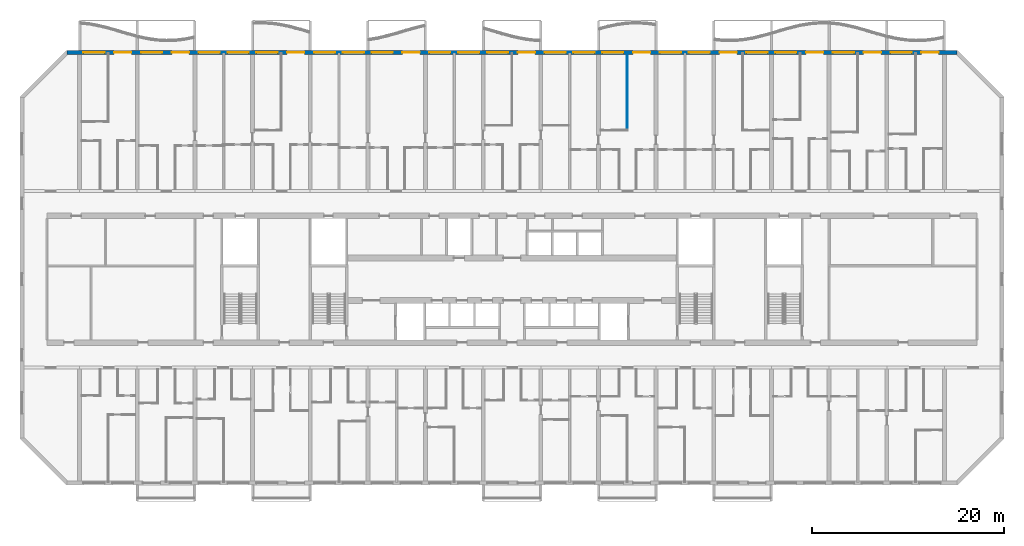
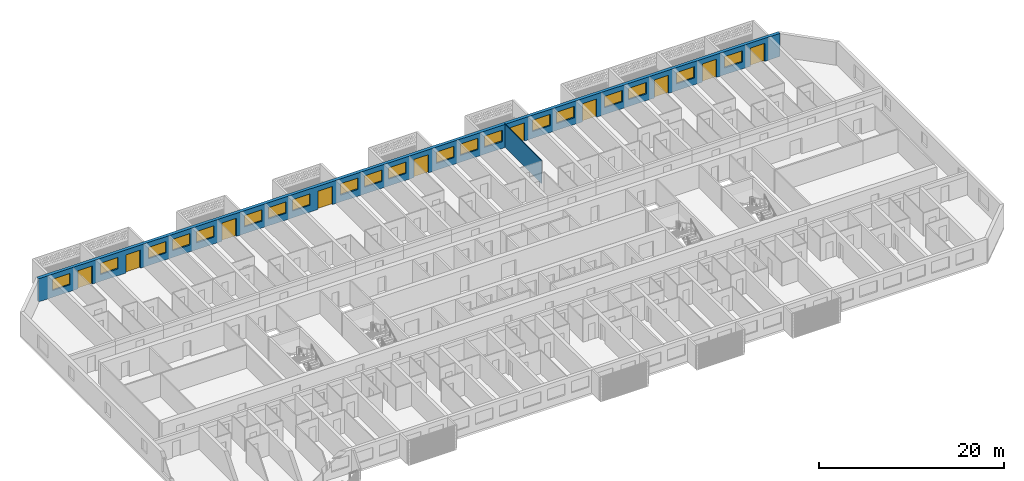
# One storey, part 13 of 40: 20 windows, 10 doors, 2 walls, 30 openings.
"""IFC4 building model written with IfcOpenShell, lengths in metres."""

from ifc_helpers import new_model, si_unit, direction, frame, frame_2d, origin, place, context, subcontext, project, spatial, rectangle, extrude, material, layer, layer_set, type_object, element, fill, save


model = new_model("IFC4")

# Units and contexts
model_context = context("Model", 3, precision=1e-05, world=origin(), true_north=direction((0.0, 1.0)))
body_context = subcontext(model_context, "Body", "Model", "MODEL_VIEW")
ifc_project = project(units=[si_unit("LENGTHUNIT", "METRE"), si_unit("AREAUNIT", "SQUARE_METRE"), si_unit("VOLUMEUNIT", "CUBIC_METRE"), si_unit("PLANEANGLEUNIT", "RADIAN"), si_unit("MASSUNIT", "GRAM", prefix="KILO")], contexts=[model_context])

# Site, building, storey
site_placement = place(None, origin())
site = spatial("IfcSite", under=ifc_project, at=site_placement, CompositionType="ELEMENT")
building_placement = place(site_placement, origin())
building = spatial("IfcBuilding", under=site, at=building_placement, Name="Poui Terraces", CompositionType="ELEMENT")
storey_placement = place(building_placement, frame((0.0, 0.0, 39.89990234375)))
storey = spatial("IfcBuildingStorey", under=building, at=storey_placement, Name="L10", CompositionType="ELEMENT", Elevation=39.89990234375)

# Wall, openings, doors, windows
ifc_material_1 = material(Name="Precast concrete 40 MPa", Category="concrete")
ifc_layer_1 = layer(ifc_material_1, 0.39990234375)
ifc_layer_set_1 = layer_set([ifc_layer_1], Name="Precast concrete 40 MPa")
wall_type_1 = type_object("IfcWallType", Name="EXTERNAL WALL 400", PredefinedType="STANDARD", material=ifc_layer_set_1)
wall_1_placement = place(storey_placement, frame((97.317138671875, 44.800048828125, 0.0), z_axis=(0.0, 0.0, 1.0), x_axis=(-1.0, 0.0, 0.0)))
wall_1 = element("IfcWall", 1, at=wall_1_placement, inside=storey, type_object=wall_type_1, Name="EXTERNAL WALL N", PredefinedType="STANDARD", context=body_context, shape_type="SweptSolid", body=[
    extrude(rectangle(XDim=92.63427734375, YDim=0.39990234375, at=frame_2d((46.317138671875, 0.0))), origin(), (0.0, 0.0, 1.0), 3.050048828125),
])
opening_1_placement = place(wall_1_placement, frame((88.71728515625, 0.0, 0.89990234375)))
opening_1 = element("IfcOpeningElement", 2, at=opening_1_placement, cuts=wall_1, Name="Opening W1", PredefinedType="OPENING", context=body_context, shape_type="SweptSolid", body=[
    extrude(rectangle(XDim=2.199951171875, YDim=1.5, at=frame_2d((1.10009765625, 0.75))), frame((0.0, 0.2099609375, 0.0), z_axis=(0.0, -1.0, 0.0), x_axis=(1.0, 0.0, 0.0)), (0.0, 0.0, 1.0), 0.419921875),
])
opening_2_placement = place(wall_1_placement, frame((85.917236328125, 0.0, 0.0)))
opening_2 = element("IfcOpeningElement", 3, at=opening_2_placement, cuts=wall_1, Name="Opening BD1", PredefinedType="OPENING", context=body_context, shape_type="SweptSolid", body=[
    extrude(rectangle(XDim=1.800048828125, YDim=2.39990234375, at=frame_2d((0.89990234375, 1.199951171875))), frame((0.0, 0.2099609375, 0.0), z_axis=(0.0, -1.0, 0.0), x_axis=(1.0, 0.0, 0.0)), (0.0, 0.0, 1.0), 0.419921875),
])
opening_3_placement = place(wall_1_placement, frame((82.71728515625, 0.0, 0.89990234375)))
opening_3 = element("IfcOpeningElement", 4, at=opening_3_placement, cuts=wall_1, Name="Opening W1", PredefinedType="OPENING", context=body_context, shape_type="SweptSolid", body=[
    extrude(rectangle(XDim=2.199951171875, YDim=1.5, at=frame_2d((1.10009765625, 0.75))), frame((0.0, 0.2099609375, 0.0), z_axis=(0.0, -1.0, 0.0), x_axis=(1.0, 0.0, 0.0)), (0.0, 0.0, 1.0), 0.419921875),
])
opening_4_placement = place(wall_1_placement, frame((79.917236328125, 0.0, 0.0)))
opening_4 = element("IfcOpeningElement", 5, at=opening_4_placement, cuts=wall_1, Name="Opening BD1", PredefinedType="OPENING", context=body_context, shape_type="SweptSolid", body=[
    extrude(rectangle(XDim=1.800048828125, YDim=2.39990234375, at=frame_2d((0.89990234375, 1.199951171875))), frame((0.0, 0.2099609375, 0.0), z_axis=(0.0, -1.0, 0.0), x_axis=(1.0, 0.0, 0.0)), (0.0, 0.0, 1.0), 0.419921875),
])
opening_5_placement = place(wall_1_placement, frame((76.71728515625, 0.0, 0.89990234375)))
opening_5 = element("IfcOpeningElement", 6, at=opening_5_placement, cuts=wall_1, Name="Opening W1", PredefinedType="OPENING", context=body_context, shape_type="SweptSolid", body=[
    extrude(rectangle(XDim=2.199951171875, YDim=1.5, at=frame_2d((1.10009765625, 0.75))), frame((0.0, 0.2099609375, 0.0), z_axis=(0.0, -1.0, 0.0), x_axis=(1.0, 0.0, 0.0)), (0.0, 0.0, 1.0), 0.419921875),
])
opening_6_placement = place(wall_1_placement, frame((73.71728515625, 0.0, 0.89990234375)))
opening_6 = element("IfcOpeningElement", 7, at=opening_6_placement, cuts=wall_1, Name="Opening W1", PredefinedType="OPENING", context=body_context, shape_type="SweptSolid", body=[
    extrude(rectangle(XDim=2.199951171875, YDim=1.5, at=frame_2d((1.10009765625, 0.75))), frame((0.0, 0.2099609375, 0.0), z_axis=(0.0, -1.0, 0.0), x_axis=(1.0, 0.0, 0.0)), (0.0, 0.0, 1.0), 0.419921875),
])
opening_7_placement = place(wall_1_placement, frame((70.71728515625, 0.0, 0.89990234375)))
opening_7 = element("IfcOpeningElement", 8, at=opening_7_placement, cuts=wall_1, Name="Opening W1", PredefinedType="OPENING", context=body_context, shape_type="SweptSolid", body=[
    extrude(rectangle(XDim=2.199951171875, YDim=1.5, at=frame_2d((1.10009765625, 0.75))), frame((0.0, 0.2099609375, 0.0), z_axis=(0.0, -1.0, 0.0), x_axis=(1.0, 0.0, 0.0)), (0.0, 0.0, 1.0), 0.419921875),
])
opening_8_placement = place(wall_1_placement, frame((67.917236328125, 0.0, 0.0)))
opening_8 = element("IfcOpeningElement", 9, at=opening_8_placement, cuts=wall_1, Name="Opening BD1", PredefinedType="OPENING", context=body_context, shape_type="SweptSolid", body=[
    extrude(rectangle(XDim=1.800048828125, YDim=2.39990234375, at=frame_2d((0.89990234375, 1.199951171875))), frame((0.0, 0.2099609375, 0.0), z_axis=(0.0, -1.0, 0.0), x_axis=(1.0, 0.0, 0.0)), (0.0, 0.0, 1.0), 0.419921875),
])
opening_9_placement = place(wall_1_placement, frame((64.71728515625, 0.0, 0.89990234375)))
opening_9 = element("IfcOpeningElement", 10, at=opening_9_placement, cuts=wall_1, Name="Opening W1", PredefinedType="OPENING", context=body_context, shape_type="SweptSolid", body=[
    extrude(rectangle(XDim=2.199951171875, YDim=1.5, at=frame_2d((1.10009765625, 0.75))), frame((0.0, 0.2099609375, 0.0), z_axis=(0.0, -1.0, 0.0), x_axis=(1.0, 0.0, 0.0)), (0.0, 0.0, 1.0), 0.419921875),
])
opening_10_placement = place(wall_1_placement, frame((61.71728515625, 0.0, 0.89990234375)))
opening_10 = element("IfcOpeningElement", 11, at=opening_10_placement, cuts=wall_1, Name="Opening W1", PredefinedType="OPENING", context=body_context, shape_type="SweptSolid", body=[
    extrude(rectangle(XDim=2.199951171875, YDim=1.5, at=frame_2d((1.10009765625, 0.75))), frame((0.0, 0.2099609375, 0.0), z_axis=(0.0, -1.0, 0.0), x_axis=(1.0, 0.0, 0.0)), (0.0, 0.0, 1.0), 0.419921875),
])
opening_11_placement = place(wall_1_placement, frame((58.71728515625, 0.0, 0.89990234375)))
opening_11 = element("IfcOpeningElement", 12, at=opening_11_placement, cuts=wall_1, Name="Opening W1", PredefinedType="OPENING", context=body_context, shape_type="SweptSolid", body=[
    extrude(rectangle(XDim=2.199951171875, YDim=1.5, at=frame_2d((1.10009765625, 0.75))), frame((0.0, 0.2099609375, 0.0), z_axis=(0.0, -1.0, 0.0), x_axis=(1.0, 0.0, 0.0)), (0.0, 0.0, 1.0), 0.419921875),
])
opening_12_placement = place(wall_1_placement, frame((55.917236328125, 0.0, 0.0)))
opening_12 = element("IfcOpeningElement", 13, at=opening_12_placement, cuts=wall_1, Name="Opening BD1", PredefinedType="OPENING", context=body_context, shape_type="SweptSolid", body=[
    extrude(rectangle(XDim=1.800048828125, YDim=2.39990234375, at=frame_2d((0.89990234375, 1.199951171875))), frame((0.0, 0.2099609375, 0.0), z_axis=(0.0, -1.0, 0.0), x_axis=(1.0, 0.0, 0.0)), (0.0, 0.0, 1.0), 0.419921875),
])
opening_13_placement = place(wall_1_placement, frame((52.71728515625, 0.0, 0.89990234375)))
opening_13 = element("IfcOpeningElement", 14, at=opening_13_placement, cuts=wall_1, Name="Opening W1", PredefinedType="OPENING", context=body_context, shape_type="SweptSolid", body=[
    extrude(rectangle(XDim=2.199951171875, YDim=1.5, at=frame_2d((1.10009765625, 0.75))), frame((0.0, 0.2099609375, 0.0), z_axis=(0.0, -1.0, 0.0), x_axis=(1.0, 0.0, 0.0)), (0.0, 0.0, 1.0), 0.419921875),
])
opening_14_placement = place(wall_1_placement, frame((49.71728515625, 0.0, 0.89990234375)))
opening_14 = element("IfcOpeningElement", 15, at=opening_14_placement, cuts=wall_1, Name="Opening W1", PredefinedType="OPENING", context=body_context, shape_type="SweptSolid", body=[
    extrude(rectangle(XDim=2.199951171875, YDim=1.5, at=frame_2d((1.10009765625, 0.75))), frame((0.0, 0.2099609375, 0.0), z_axis=(0.0, -1.0, 0.0), x_axis=(1.0, 0.0, 0.0)), (0.0, 0.0, 1.0), 0.419921875),
])
opening_15_placement = place(wall_1_placement, frame((46.71728515625, 0.0, 0.89990234375)))
opening_15 = element("IfcOpeningElement", 16, at=opening_15_placement, cuts=wall_1, Name="Opening W1", PredefinedType="OPENING", context=body_context, shape_type="SweptSolid", body=[
    extrude(rectangle(XDim=2.199951171875, YDim=1.5, at=frame_2d((1.10009765625, 0.75))), frame((0.0, 0.2099609375, 0.0), z_axis=(0.0, -1.0, 0.0), x_axis=(1.0, 0.0, 0.0)), (0.0, 0.0, 1.0), 0.419921875),
])
opening_16_placement = place(wall_1_placement, frame((43.917236328125, 0.0, 0.0)))
opening_16 = element("IfcOpeningElement", 17, at=opening_16_placement, cuts=wall_1, Name="Opening BD1", PredefinedType="OPENING", context=body_context, shape_type="SweptSolid", body=[
    extrude(rectangle(XDim=1.800048828125, YDim=2.39990234375, at=frame_2d((0.89990234375, 1.199951171875))), frame((0.0, 0.2099609375, 0.0), z_axis=(0.0, -1.0, 0.0), x_axis=(1.0, 0.0, 0.0)), (0.0, 0.0, 1.0), 0.419921875),
])
opening_17_placement = place(wall_1_placement, frame((40.71728515625, 0.0, 0.89990234375)))
opening_17 = element("IfcOpeningElement", 18, at=opening_17_placement, cuts=wall_1, Name="Opening W1", PredefinedType="OPENING", context=body_context, shape_type="SweptSolid", body=[
    extrude(rectangle(XDim=2.199951171875, YDim=1.5, at=frame_2d((1.10009765625, 0.75))), frame((0.0, 0.2099609375, 0.0), z_axis=(0.0, -1.0, 0.0), x_axis=(1.0, 0.0, 0.0)), (0.0, 0.0, 1.0), 0.419921875),
])
opening_18_placement = place(wall_1_placement, frame((37.71728515625, 0.0, 0.89990234375)))
opening_18 = element("IfcOpeningElement", 19, at=opening_18_placement, cuts=wall_1, Name="Opening W1", PredefinedType="OPENING", context=body_context, shape_type="SweptSolid", body=[
    extrude(rectangle(XDim=2.199951171875, YDim=1.5, at=frame_2d((1.10009765625, 0.75))), frame((0.0, 0.2099609375, 0.0), z_axis=(0.0, -1.0, 0.0), x_axis=(1.0, 0.0, 0.0)), (0.0, 0.0, 1.0), 0.419921875),
])
opening_19_placement = place(wall_1_placement, frame((34.71728515625, 0.0, 0.89990234375)))
opening_19 = element("IfcOpeningElement", 20, at=opening_19_placement, cuts=wall_1, Name="Opening W1", PredefinedType="OPENING", context=body_context, shape_type="SweptSolid", body=[
    extrude(rectangle(XDim=2.199951171875, YDim=1.5, at=frame_2d((1.10009765625, 0.75))), frame((0.0, 0.2099609375, 0.0), z_axis=(0.0, -1.0, 0.0), x_axis=(1.0, 0.0, 0.0)), (0.0, 0.0, 1.0), 0.419921875),
])
opening_20_placement = place(wall_1_placement, frame((31.917236328125, 0.0, 0.0)))
opening_20 = element("IfcOpeningElement", 21, at=opening_20_placement, cuts=wall_1, Name="Opening BD1", PredefinedType="OPENING", context=body_context, shape_type="SweptSolid", body=[
    extrude(rectangle(XDim=1.800048828125, YDim=2.39990234375, at=frame_2d((0.89990234375, 1.199951171875))), frame((0.0, 0.2099609375, 0.0), z_axis=(0.0, -1.0, 0.0), x_axis=(1.0, 0.0, 0.0)), (0.0, 0.0, 1.0), 0.419921875),
])
opening_21_placement = place(wall_1_placement, frame((28.71728515625, 0.0, 0.89990234375)))
opening_21 = element("IfcOpeningElement", 22, at=opening_21_placement, cuts=wall_1, Name="Opening W1", PredefinedType="OPENING", context=body_context, shape_type="SweptSolid", body=[
    extrude(rectangle(XDim=2.199951171875, YDim=1.5, at=frame_2d((1.10009765625, 0.75))), frame((0.0, 0.2099609375, 0.0), z_axis=(0.0, -1.0, 0.0), x_axis=(1.0, 0.0, 0.0)), (0.0, 0.0, 1.0), 0.419921875),
])
opening_22_placement = place(wall_1_placement, frame((25.71728515625, 0.0, 0.89990234375)))
opening_22 = element("IfcOpeningElement", 23, at=opening_22_placement, cuts=wall_1, Name="Opening W1", PredefinedType="OPENING", context=body_context, shape_type="SweptSolid", body=[
    extrude(rectangle(XDim=2.199951171875, YDim=1.5, at=frame_2d((1.10009765625, 0.75))), frame((0.0, 0.2099609375, 0.0), z_axis=(0.0, -1.0, 0.0), x_axis=(1.0, 0.0, 0.0)), (0.0, 0.0, 1.0), 0.419921875),
])
opening_23_placement = place(wall_1_placement, frame((22.917236328125, 0.0, 0.0)))
opening_23 = element("IfcOpeningElement", 24, at=opening_23_placement, cuts=wall_1, Name="Opening BD1", PredefinedType="OPENING", context=body_context, shape_type="SweptSolid", body=[
    extrude(rectangle(XDim=1.800048828125, YDim=2.39990234375, at=frame_2d((0.89990234375, 1.199951171875))), frame((0.0, 0.2099609375, 0.0), z_axis=(0.0, -1.0, 0.0), x_axis=(1.0, 0.0, 0.0)), (0.0, 0.0, 1.0), 0.419921875),
])
opening_24_placement = place(wall_1_placement, frame((19.71728515625, 0.0, 0.89990234375)))
opening_24 = element("IfcOpeningElement", 25, at=opening_24_placement, cuts=wall_1, Name="Opening W1", PredefinedType="OPENING", context=body_context, shape_type="SweptSolid", body=[
    extrude(rectangle(XDim=2.199951171875, YDim=1.5, at=frame_2d((1.10009765625, 0.75))), frame((0.0, 0.2099609375, 0.0), z_axis=(0.0, -1.0, 0.0), x_axis=(1.0, 0.0, 0.0)), (0.0, 0.0, 1.0), 0.419921875),
])
opening_25_placement = place(wall_1_placement, frame((16.71728515625, 0.0, 0.89990234375)))
opening_25 = element("IfcOpeningElement", 26, at=opening_25_placement, cuts=wall_1, Name="Opening W1", PredefinedType="OPENING", context=body_context, shape_type="SweptSolid", body=[
    extrude(rectangle(XDim=2.199951171875, YDim=1.5, at=frame_2d((1.10009765625, 0.75))), frame((0.0, 0.2099609375, 0.0), z_axis=(0.0, -1.0, 0.0), x_axis=(1.0, 0.0, 0.0)), (0.0, 0.0, 1.0), 0.419921875),
])
opening_26_placement = place(wall_1_placement, frame((13.917236328125, 0.0, 0.0)))
opening_26 = element("IfcOpeningElement", 27, at=opening_26_placement, cuts=wall_1, Name="Opening BD1", PredefinedType="OPENING", context=body_context, shape_type="SweptSolid", body=[
    extrude(rectangle(XDim=1.800048828125, YDim=2.39990234375, at=frame_2d((0.89990234375, 1.199951171875))), frame((0.0, 0.2099609375, 0.0), z_axis=(0.0, -1.0, 0.0), x_axis=(1.0, 0.0, 0.0)), (0.0, 0.0, 1.0), 0.419921875),
])
opening_27_placement = place(wall_1_placement, frame((10.71728515625, 0.0, 0.89990234375)))
opening_27 = element("IfcOpeningElement", 28, at=opening_27_placement, cuts=wall_1, Name="Opening W1", PredefinedType="OPENING", context=body_context, shape_type="SweptSolid", body=[
    extrude(rectangle(XDim=2.199951171875, YDim=1.5, at=frame_2d((1.10009765625, 0.75))), frame((0.0, 0.2099609375, 0.0), z_axis=(0.0, -1.0, 0.0), x_axis=(1.0, 0.0, 0.0)), (0.0, 0.0, 1.0), 0.419921875),
])
opening_28_placement = place(wall_1_placement, frame((7.917236328125, 0.0, 0.0)))
opening_28 = element("IfcOpeningElement", 29, at=opening_28_placement, cuts=wall_1, Name="Opening BD1", PredefinedType="OPENING", context=body_context, shape_type="SweptSolid", body=[
    extrude(rectangle(XDim=1.800048828125, YDim=2.39990234375, at=frame_2d((0.89990234375, 1.199951171875))), frame((0.0, 0.2099609375, 0.0), z_axis=(0.0, -1.0, 0.0), x_axis=(1.0, 0.0, 0.0)), (0.0, 0.0, 1.0), 0.419921875),
])
opening_29_placement = place(wall_1_placement, frame((4.71728515625, 0.0, 0.89990234375)))
opening_29 = element("IfcOpeningElement", 30, at=opening_29_placement, cuts=wall_1, Name="Opening W1", PredefinedType="OPENING", context=body_context, shape_type="SweptSolid", body=[
    extrude(rectangle(XDim=2.199951171875, YDim=1.5, at=frame_2d((1.10009765625, 0.75))), frame((0.0, 0.2099609375, 0.0), z_axis=(0.0, -1.0, 0.0), x_axis=(1.0, 0.0, 0.0)), (0.0, 0.0, 1.0), 0.419921875),
])
opening_30_placement = place(wall_1_placement, frame((1.917236328125, 0.0, 0.0)))
opening_30 = element("IfcOpeningElement", 31, at=opening_30_placement, cuts=wall_1, Name="Opening BD1", PredefinedType="OPENING", context=body_context, shape_type="SweptSolid", body=[
    extrude(rectangle(XDim=1.800048828125, YDim=2.39990234375, at=frame_2d((0.89990234375, 1.199951171875))), frame((0.0, 0.2099609375, 0.0), z_axis=(0.0, -1.0, 0.0), x_axis=(1.0, 0.0, 0.0)), (0.0, 0.0, 1.0), 0.419921875),
])
ifc_material_2 = material(Name="Clear glass in aluminium frame", Category="aluminium")
door_type = type_object("IfcDoorType", Name="BALCONY DOOR 1800X2400", OperationType="DOUBLE_DOOR_SLIDING", PredefinedType="DOOR", material=ifc_material_2)
door_1_placement = place(opening_2_placement, origin())
door_1 = element("IfcDoor", 32, at=door_1_placement, inside=storey, type_object=door_type, Name="BD1 BALCONY DOOR", OperationType="DOUBLE_DOOR_SLIDING", OverallHeight=2.39990234375, OverallWidth=1.800048828125, PredefinedType="DOOR", context=body_context, shape_type="SweptSolid", body=[
    extrude(rectangle(XDim=1.800048828125, YDim=2.39990234375, at=frame_2d((0.89990234375, 1.199951171875))), frame((0.0, 0.02490234375, 0.0), z_axis=(0.0, -1.0, 0.0), x_axis=(1.0, 0.0, 0.0)), (0.0, 0.0, 1.0), 0.050048828125),
])
fill(opening_2, door_1)
door_2_placement = place(opening_4_placement, origin())
door_2 = element("IfcDoor", 33, at=door_2_placement, inside=storey, type_object=door_type, Name="BD1 BALCONY DOOR", OperationType="DOUBLE_DOOR_SLIDING", OverallHeight=2.39990234375, OverallWidth=1.800048828125, PredefinedType="DOOR", context=body_context, shape_type="SweptSolid", body=[
    extrude(rectangle(XDim=1.800048828125, YDim=2.39990234375, at=frame_2d((0.89990234375, 1.199951171875))), frame((0.0, 0.02490234375, 0.0), z_axis=(0.0, -1.0, 0.0), x_axis=(1.0, 0.0, 0.0)), (0.0, 0.0, 1.0), 0.050048828125),
])
fill(opening_4, door_2)
door_3_placement = place(opening_8_placement, origin())
door_3 = element("IfcDoor", 34, at=door_3_placement, inside=storey, type_object=door_type, Name="BD1 BALCONY DOOR", OperationType="DOUBLE_DOOR_SLIDING", OverallHeight=2.39990234375, OverallWidth=1.800048828125, PredefinedType="DOOR", context=body_context, shape_type="SweptSolid", body=[
    extrude(rectangle(XDim=1.800048828125, YDim=2.39990234375, at=frame_2d((0.89990234375, 1.199951171875))), frame((0.0, 0.02490234375, 0.0), z_axis=(0.0, -1.0, 0.0), x_axis=(1.0, 0.0, 0.0)), (0.0, 0.0, 1.0), 0.050048828125),
])
fill(opening_8, door_3)
door_4_placement = place(opening_12_placement, origin())
door_4 = element("IfcDoor", 35, at=door_4_placement, inside=storey, type_object=door_type, Name="BD1 BALCONY DOOR", OperationType="DOUBLE_DOOR_SLIDING", OverallHeight=2.39990234375, OverallWidth=1.800048828125, PredefinedType="DOOR", context=body_context, shape_type="SweptSolid", body=[
    extrude(rectangle(XDim=1.800048828125, YDim=2.39990234375, at=frame_2d((0.89990234375, 1.199951171875))), frame((0.0, 0.02490234375, 0.0), z_axis=(0.0, -1.0, 0.0), x_axis=(1.0, 0.0, 0.0)), (0.0, 0.0, 1.0), 0.050048828125),
])
fill(opening_12, door_4)
door_5_placement = place(opening_16_placement, origin())
door_5 = element("IfcDoor", 36, at=door_5_placement, inside=storey, type_object=door_type, Name="BD1 BALCONY DOOR", OperationType="DOUBLE_DOOR_SLIDING", OverallHeight=2.39990234375, OverallWidth=1.800048828125, PredefinedType="DOOR", context=body_context, shape_type="SweptSolid", body=[
    extrude(rectangle(XDim=1.800048828125, YDim=2.39990234375, at=frame_2d((0.89990234375, 1.199951171875))), frame((0.0, 0.02490234375, 0.0), z_axis=(0.0, -1.0, 0.0), x_axis=(1.0, 0.0, 0.0)), (0.0, 0.0, 1.0), 0.050048828125),
])
fill(opening_16, door_5)
door_6_placement = place(opening_20_placement, origin())
door_6 = element("IfcDoor", 37, at=door_6_placement, inside=storey, type_object=door_type, Name="BD1 BALCONY DOOR", OperationType="DOUBLE_DOOR_SLIDING", OverallHeight=2.39990234375, OverallWidth=1.800048828125, PredefinedType="DOOR", context=body_context, shape_type="SweptSolid", body=[
    extrude(rectangle(XDim=1.800048828125, YDim=2.39990234375, at=frame_2d((0.89990234375, 1.199951171875))), frame((0.0, 0.02490234375, 0.0), z_axis=(0.0, -1.0, 0.0), x_axis=(1.0, 0.0, 0.0)), (0.0, 0.0, 1.0), 0.050048828125),
])
fill(opening_20, door_6)
door_7_placement = place(opening_23_placement, origin())
door_7 = element("IfcDoor", 38, at=door_7_placement, inside=storey, type_object=door_type, Name="BD1 BALCONY DOOR", OperationType="DOUBLE_DOOR_SLIDING", OverallHeight=2.39990234375, OverallWidth=1.800048828125, PredefinedType="DOOR", context=body_context, shape_type="SweptSolid", body=[
    extrude(rectangle(XDim=1.800048828125, YDim=2.39990234375, at=frame_2d((0.89990234375, 1.199951171875))), frame((0.0, 0.02490234375, 0.0), z_axis=(0.0, -1.0, 0.0), x_axis=(1.0, 0.0, 0.0)), (0.0, 0.0, 1.0), 0.050048828125),
])
fill(opening_23, door_7)
door_8_placement = place(opening_26_placement, origin())
door_8 = element("IfcDoor", 39, at=door_8_placement, inside=storey, type_object=door_type, Name="BD1 BALCONY DOOR", OperationType="DOUBLE_DOOR_SLIDING", OverallHeight=2.39990234375, OverallWidth=1.800048828125, PredefinedType="DOOR", context=body_context, shape_type="SweptSolid", body=[
    extrude(rectangle(XDim=1.800048828125, YDim=2.39990234375, at=frame_2d((0.89990234375, 1.199951171875))), frame((0.0, 0.02490234375, 0.0), z_axis=(0.0, -1.0, 0.0), x_axis=(1.0, 0.0, 0.0)), (0.0, 0.0, 1.0), 0.050048828125),
])
fill(opening_26, door_8)
door_9_placement = place(opening_28_placement, origin())
door_9 = element("IfcDoor", 40, at=door_9_placement, inside=storey, type_object=door_type, Name="BD1 BALCONY DOOR", OperationType="DOUBLE_DOOR_SLIDING", OverallHeight=2.39990234375, OverallWidth=1.800048828125, PredefinedType="DOOR", context=body_context, shape_type="SweptSolid", body=[
    extrude(rectangle(XDim=1.800048828125, YDim=2.39990234375, at=frame_2d((0.89990234375, 1.199951171875))), frame((0.0, 0.02490234375, 0.0), z_axis=(0.0, -1.0, 0.0), x_axis=(1.0, 0.0, 0.0)), (0.0, 0.0, 1.0), 0.050048828125),
])
fill(opening_28, door_9)
door_10_placement = place(opening_30_placement, origin())
door_10 = element("IfcDoor", 41, at=door_10_placement, inside=storey, type_object=door_type, Name="BD1 BALCONY DOOR", OperationType="DOUBLE_DOOR_SLIDING", OverallHeight=2.39990234375, OverallWidth=1.800048828125, PredefinedType="DOOR", context=body_context, shape_type="SweptSolid", body=[
    extrude(rectangle(XDim=1.800048828125, YDim=2.39990234375, at=frame_2d((0.89990234375, 1.199951171875))), frame((0.0, 0.02490234375, 0.0), z_axis=(0.0, -1.0, 0.0), x_axis=(1.0, 0.0, 0.0)), (0.0, 0.0, 1.0), 0.050048828125),
])
fill(opening_30, door_10)
window_type = type_object("IfcWindowType", Name="WINDOW 2200X1500", PartitioningType="DOUBLE_PANEL_HORIZONTAL", PredefinedType="WINDOW", material=ifc_material_2)
window_1_placement = place(opening_1_placement, origin())
window_1 = element("IfcWindow", 42, at=window_1_placement, inside=storey, type_object=window_type, Name="W1 WINDOW", OverallHeight=1.5, OverallWidth=2.199951171875, PartitioningType="DOUBLE_PANEL_HORIZONTAL", PredefinedType="WINDOW", context=body_context, shape_type="SweptSolid", body=[
    extrude(rectangle(XDim=2.199951171875, YDim=1.5, at=frame_2d((1.10009765625, 0.75))), frame((0.0, 0.030029296875, 0.0), z_axis=(0.0, -1.0, 0.0), x_axis=(1.0, 0.0, 0.0)), (0.0, 0.0, 1.0), 0.06005859375),
])
fill(opening_1, window_1)
window_2_placement = place(opening_3_placement, origin())
window_2 = element("IfcWindow", 43, at=window_2_placement, inside=storey, type_object=window_type, Name="W1 WINDOW", OverallHeight=1.5, OverallWidth=2.199951171875, PartitioningType="DOUBLE_PANEL_HORIZONTAL", PredefinedType="WINDOW", context=body_context, shape_type="SweptSolid", body=[
    extrude(rectangle(XDim=2.199951171875, YDim=1.5, at=frame_2d((1.10009765625, 0.75))), frame((0.0, 0.030029296875, 0.0), z_axis=(0.0, -1.0, 0.0), x_axis=(1.0, 0.0, 0.0)), (0.0, 0.0, 1.0), 0.06005859375),
])
fill(opening_3, window_2)
window_3_placement = place(opening_5_placement, origin())
window_3 = element("IfcWindow", 44, at=window_3_placement, inside=storey, type_object=window_type, Name="W1 WINDOW", OverallHeight=1.5, OverallWidth=2.199951171875, PartitioningType="DOUBLE_PANEL_HORIZONTAL", PredefinedType="WINDOW", context=body_context, shape_type="SweptSolid", body=[
    extrude(rectangle(XDim=2.199951171875, YDim=1.5, at=frame_2d((1.10009765625, 0.75))), frame((0.0, 0.030029296875, 0.0), z_axis=(0.0, -1.0, 0.0), x_axis=(1.0, 0.0, 0.0)), (0.0, 0.0, 1.0), 0.06005859375),
])
fill(opening_5, window_3)
window_4_placement = place(opening_6_placement, origin())
window_4 = element("IfcWindow", 45, at=window_4_placement, inside=storey, type_object=window_type, Name="W1 WINDOW", OverallHeight=1.5, OverallWidth=2.199951171875, PartitioningType="DOUBLE_PANEL_HORIZONTAL", PredefinedType="WINDOW", context=body_context, shape_type="SweptSolid", body=[
    extrude(rectangle(XDim=2.199951171875, YDim=1.5, at=frame_2d((1.10009765625, 0.75))), frame((0.0, 0.030029296875, 0.0), z_axis=(0.0, -1.0, 0.0), x_axis=(1.0, 0.0, 0.0)), (0.0, 0.0, 1.0), 0.06005859375),
])
fill(opening_6, window_4)
window_5_placement = place(opening_7_placement, origin())
window_5 = element("IfcWindow", 46, at=window_5_placement, inside=storey, type_object=window_type, Name="W1 WINDOW", OverallHeight=1.5, OverallWidth=2.199951171875, PartitioningType="DOUBLE_PANEL_HORIZONTAL", PredefinedType="WINDOW", context=body_context, shape_type="SweptSolid", body=[
    extrude(rectangle(XDim=2.199951171875, YDim=1.5, at=frame_2d((1.10009765625, 0.75))), frame((0.0, 0.030029296875, 0.0), z_axis=(0.0, -1.0, 0.0), x_axis=(1.0, 0.0, 0.0)), (0.0, 0.0, 1.0), 0.06005859375),
])
fill(opening_7, window_5)
window_6_placement = place(opening_9_placement, origin())
window_6 = element("IfcWindow", 47, at=window_6_placement, inside=storey, type_object=window_type, Name="W1 WINDOW", OverallHeight=1.5, OverallWidth=2.199951171875, PartitioningType="DOUBLE_PANEL_HORIZONTAL", PredefinedType="WINDOW", context=body_context, shape_type="SweptSolid", body=[
    extrude(rectangle(XDim=2.199951171875, YDim=1.5, at=frame_2d((1.10009765625, 0.75))), frame((0.0, 0.030029296875, 0.0), z_axis=(0.0, -1.0, 0.0), x_axis=(1.0, 0.0, 0.0)), (0.0, 0.0, 1.0), 0.06005859375),
])
fill(opening_9, window_6)
window_7_placement = place(opening_10_placement, origin())
window_7 = element("IfcWindow", 48, at=window_7_placement, inside=storey, type_object=window_type, Name="W1 WINDOW", OverallHeight=1.5, OverallWidth=2.199951171875, PartitioningType="DOUBLE_PANEL_HORIZONTAL", PredefinedType="WINDOW", context=body_context, shape_type="SweptSolid", body=[
    extrude(rectangle(XDim=2.199951171875, YDim=1.5, at=frame_2d((1.10009765625, 0.75))), frame((0.0, 0.030029296875, 0.0), z_axis=(0.0, -1.0, 0.0), x_axis=(1.0, 0.0, 0.0)), (0.0, 0.0, 1.0), 0.06005859375),
])
fill(opening_10, window_7)
window_8_placement = place(opening_11_placement, origin())
window_8 = element("IfcWindow", 49, at=window_8_placement, inside=storey, type_object=window_type, Name="W1 WINDOW", OverallHeight=1.5, OverallWidth=2.199951171875, PartitioningType="DOUBLE_PANEL_HORIZONTAL", PredefinedType="WINDOW", context=body_context, shape_type="SweptSolid", body=[
    extrude(rectangle(XDim=2.199951171875, YDim=1.5, at=frame_2d((1.10009765625, 0.75))), frame((0.0, 0.030029296875, 0.0), z_axis=(0.0, -1.0, 0.0), x_axis=(1.0, 0.0, 0.0)), (0.0, 0.0, 1.0), 0.06005859375),
])
fill(opening_11, window_8)
window_9_placement = place(opening_13_placement, origin())
window_9 = element("IfcWindow", 50, at=window_9_placement, inside=storey, type_object=window_type, Name="W1 WINDOW", OverallHeight=1.5, OverallWidth=2.199951171875, PartitioningType="DOUBLE_PANEL_HORIZONTAL", PredefinedType="WINDOW", context=body_context, shape_type="SweptSolid", body=[
    extrude(rectangle(XDim=2.199951171875, YDim=1.5, at=frame_2d((1.10009765625, 0.75))), frame((0.0, 0.030029296875, 0.0), z_axis=(0.0, -1.0, 0.0), x_axis=(1.0, 0.0, 0.0)), (0.0, 0.0, 1.0), 0.06005859375),
])
fill(opening_13, window_9)
window_10_placement = place(opening_14_placement, origin())
window_10 = element("IfcWindow", 51, at=window_10_placement, inside=storey, type_object=window_type, Name="W1 WINDOW", OverallHeight=1.5, OverallWidth=2.199951171875, PartitioningType="DOUBLE_PANEL_HORIZONTAL", PredefinedType="WINDOW", context=body_context, shape_type="SweptSolid", body=[
    extrude(rectangle(XDim=2.199951171875, YDim=1.5, at=frame_2d((1.10009765625, 0.75))), frame((0.0, 0.030029296875, 0.0), z_axis=(0.0, -1.0, 0.0), x_axis=(1.0, 0.0, 0.0)), (0.0, 0.0, 1.0), 0.06005859375),
])
fill(opening_14, window_10)
window_11_placement = place(opening_15_placement, origin())
window_11 = element("IfcWindow", 52, at=window_11_placement, inside=storey, type_object=window_type, Name="W1 WINDOW", OverallHeight=1.5, OverallWidth=2.199951171875, PartitioningType="DOUBLE_PANEL_HORIZONTAL", PredefinedType="WINDOW", context=body_context, shape_type="SweptSolid", body=[
    extrude(rectangle(XDim=2.199951171875, YDim=1.5, at=frame_2d((1.10009765625, 0.75))), frame((0.0, 0.030029296875, 0.0), z_axis=(0.0, -1.0, 0.0), x_axis=(1.0, 0.0, 0.0)), (0.0, 0.0, 1.0), 0.06005859375),
])
fill(opening_15, window_11)
window_12_placement = place(opening_17_placement, origin())
window_12 = element("IfcWindow", 53, at=window_12_placement, inside=storey, type_object=window_type, Name="W1 WINDOW", OverallHeight=1.5, OverallWidth=2.199951171875, PartitioningType="DOUBLE_PANEL_HORIZONTAL", PredefinedType="WINDOW", context=body_context, shape_type="SweptSolid", body=[
    extrude(rectangle(XDim=2.199951171875, YDim=1.5, at=frame_2d((1.10009765625, 0.75))), frame((0.0, 0.030029296875, 0.0), z_axis=(0.0, -1.0, 0.0), x_axis=(1.0, 0.0, 0.0)), (0.0, 0.0, 1.0), 0.06005859375),
])
fill(opening_17, window_12)
window_13_placement = place(opening_18_placement, origin())
window_13 = element("IfcWindow", 54, at=window_13_placement, inside=storey, type_object=window_type, Name="W1 WINDOW", OverallHeight=1.5, OverallWidth=2.199951171875, PartitioningType="DOUBLE_PANEL_HORIZONTAL", PredefinedType="WINDOW", context=body_context, shape_type="SweptSolid", body=[
    extrude(rectangle(XDim=2.199951171875, YDim=1.5, at=frame_2d((1.10009765625, 0.75))), frame((0.0, 0.030029296875, 0.0), z_axis=(0.0, -1.0, 0.0), x_axis=(1.0, 0.0, 0.0)), (0.0, 0.0, 1.0), 0.06005859375),
])
fill(opening_18, window_13)
window_14_placement = place(opening_19_placement, origin())
window_14 = element("IfcWindow", 55, at=window_14_placement, inside=storey, type_object=window_type, Name="W1 WINDOW", OverallHeight=1.5, OverallWidth=2.199951171875, PartitioningType="DOUBLE_PANEL_HORIZONTAL", PredefinedType="WINDOW", context=body_context, shape_type="SweptSolid", body=[
    extrude(rectangle(XDim=2.199951171875, YDim=1.5, at=frame_2d((1.10009765625, 0.75))), frame((0.0, 0.030029296875, 0.0), z_axis=(0.0, -1.0, 0.0), x_axis=(1.0, 0.0, 0.0)), (0.0, 0.0, 1.0), 0.06005859375),
])
fill(opening_19, window_14)
window_15_placement = place(opening_21_placement, origin())
window_15 = element("IfcWindow", 56, at=window_15_placement, inside=storey, type_object=window_type, Name="W1 WINDOW", OverallHeight=1.5, OverallWidth=2.199951171875, PartitioningType="DOUBLE_PANEL_HORIZONTAL", PredefinedType="WINDOW", context=body_context, shape_type="SweptSolid", body=[
    extrude(rectangle(XDim=2.199951171875, YDim=1.5, at=frame_2d((1.10009765625, 0.75))), frame((0.0, 0.030029296875, 0.0), z_axis=(0.0, -1.0, 0.0), x_axis=(1.0, 0.0, 0.0)), (0.0, 0.0, 1.0), 0.06005859375),
])
fill(opening_21, window_15)
window_16_placement = place(opening_22_placement, origin())
window_16 = element("IfcWindow", 57, at=window_16_placement, inside=storey, type_object=window_type, Name="W1 WINDOW", OverallHeight=1.5, OverallWidth=2.199951171875, PartitioningType="DOUBLE_PANEL_HORIZONTAL", PredefinedType="WINDOW", context=body_context, shape_type="SweptSolid", body=[
    extrude(rectangle(XDim=2.199951171875, YDim=1.5, at=frame_2d((1.10009765625, 0.75))), frame((0.0, 0.030029296875, 0.0), z_axis=(0.0, -1.0, 0.0), x_axis=(1.0, 0.0, 0.0)), (0.0, 0.0, 1.0), 0.06005859375),
])
fill(opening_22, window_16)
window_17_placement = place(opening_24_placement, origin())
window_17 = element("IfcWindow", 58, at=window_17_placement, inside=storey, type_object=window_type, Name="W1 WINDOW", OverallHeight=1.5, OverallWidth=2.199951171875, PartitioningType="DOUBLE_PANEL_HORIZONTAL", PredefinedType="WINDOW", context=body_context, shape_type="SweptSolid", body=[
    extrude(rectangle(XDim=2.199951171875, YDim=1.5, at=frame_2d((1.10009765625, 0.75))), frame((0.0, 0.030029296875, 0.0), z_axis=(0.0, -1.0, 0.0), x_axis=(1.0, 0.0, 0.0)), (0.0, 0.0, 1.0), 0.06005859375),
])
fill(opening_24, window_17)
window_18_placement = place(opening_25_placement, origin())
window_18 = element("IfcWindow", 59, at=window_18_placement, inside=storey, type_object=window_type, Name="W1 WINDOW", OverallHeight=1.5, OverallWidth=2.199951171875, PartitioningType="DOUBLE_PANEL_HORIZONTAL", PredefinedType="WINDOW", context=body_context, shape_type="SweptSolid", body=[
    extrude(rectangle(XDim=2.199951171875, YDim=1.5, at=frame_2d((1.10009765625, 0.75))), frame((0.0, 0.030029296875, 0.0), z_axis=(0.0, -1.0, 0.0), x_axis=(1.0, 0.0, 0.0)), (0.0, 0.0, 1.0), 0.06005859375),
])
fill(opening_25, window_18)
window_19_placement = place(opening_27_placement, origin())
window_19 = element("IfcWindow", 60, at=window_19_placement, inside=storey, type_object=window_type, Name="W1 WINDOW", OverallHeight=1.5, OverallWidth=2.199951171875, PartitioningType="DOUBLE_PANEL_HORIZONTAL", PredefinedType="WINDOW", context=body_context, shape_type="SweptSolid", body=[
    extrude(rectangle(XDim=2.199951171875, YDim=1.5, at=frame_2d((1.10009765625, 0.75))), frame((0.0, 0.030029296875, 0.0), z_axis=(0.0, -1.0, 0.0), x_axis=(1.0, 0.0, 0.0)), (0.0, 0.0, 1.0), 0.06005859375),
])
fill(opening_27, window_19)
window_20_placement = place(opening_29_placement, origin())
window_20 = element("IfcWindow", 61, at=window_20_placement, inside=storey, type_object=window_type, Name="W1 WINDOW", OverallHeight=1.5, OverallWidth=2.199951171875, PartitioningType="DOUBLE_PANEL_HORIZONTAL", PredefinedType="WINDOW", context=body_context, shape_type="SweptSolid", body=[
    extrude(rectangle(XDim=2.199951171875, YDim=1.5, at=frame_2d((1.10009765625, 0.75))), frame((0.0, 0.030029296875, 0.0), z_axis=(0.0, -1.0, 0.0), x_axis=(1.0, 0.0, 0.0)), (0.0, 0.0, 1.0), 0.06005859375),
])
fill(opening_29, window_20)

# Wall
ifc_material_3 = material(Name="Plasterboard partition")
ifc_layer_2 = layer(ifc_material_3, 0.10009765625)
ifc_layer_set_2 = layer_set([ifc_layer_2], Name="Plasterboard partition")
wall_type_2 = type_object("IfcWallType", Name="FLAT PARTITION 100", PredefinedType="PARTITIONING", material=ifc_layer_set_2)
wall_2_placement = place(storey_placement, frame((63.0, 36.75, 0.0), z_axis=(0.0, 0.0, 1.0), x_axis=(0.0, 1.0, 0.0)))
element("IfcWall", 62, at=wall_2_placement, inside=storey, type_object=wall_type_2, Name="FLAT PARTITION 100", PredefinedType="PARTITIONING", context=body_context, shape_type="SweptSolid", body=[
    extrude(rectangle(XDim=7.989990234375, YDim=0.10009765625, at=frame_2d((3.9951171875, 0.0))), origin(), (0.0, 0.0, 1.0), 3.050048828125),
])

save(model, "model.ifc")
